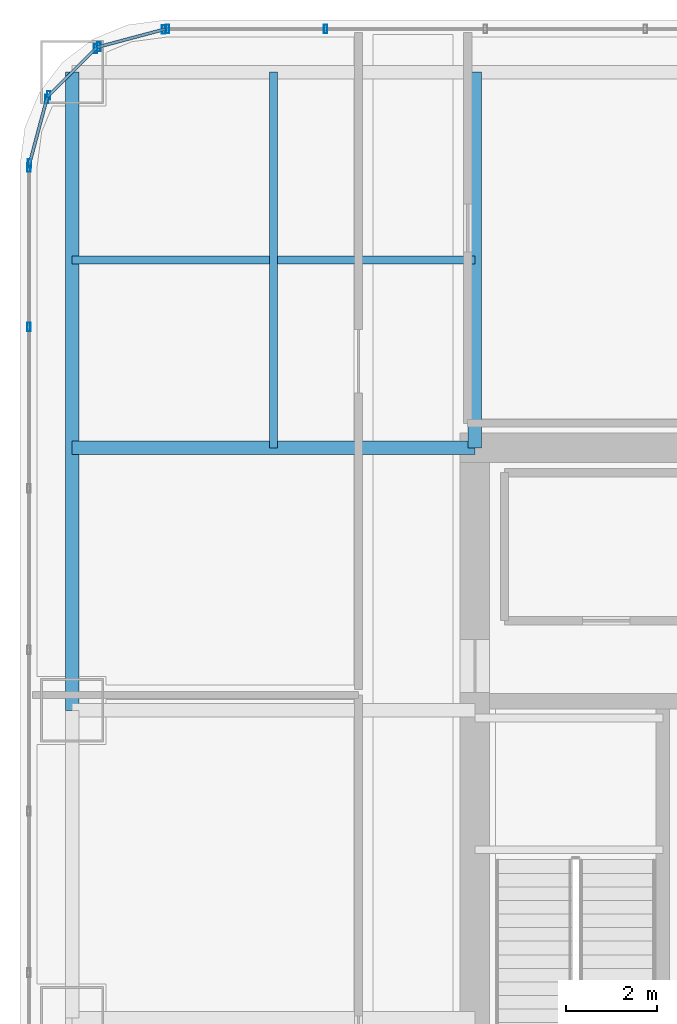
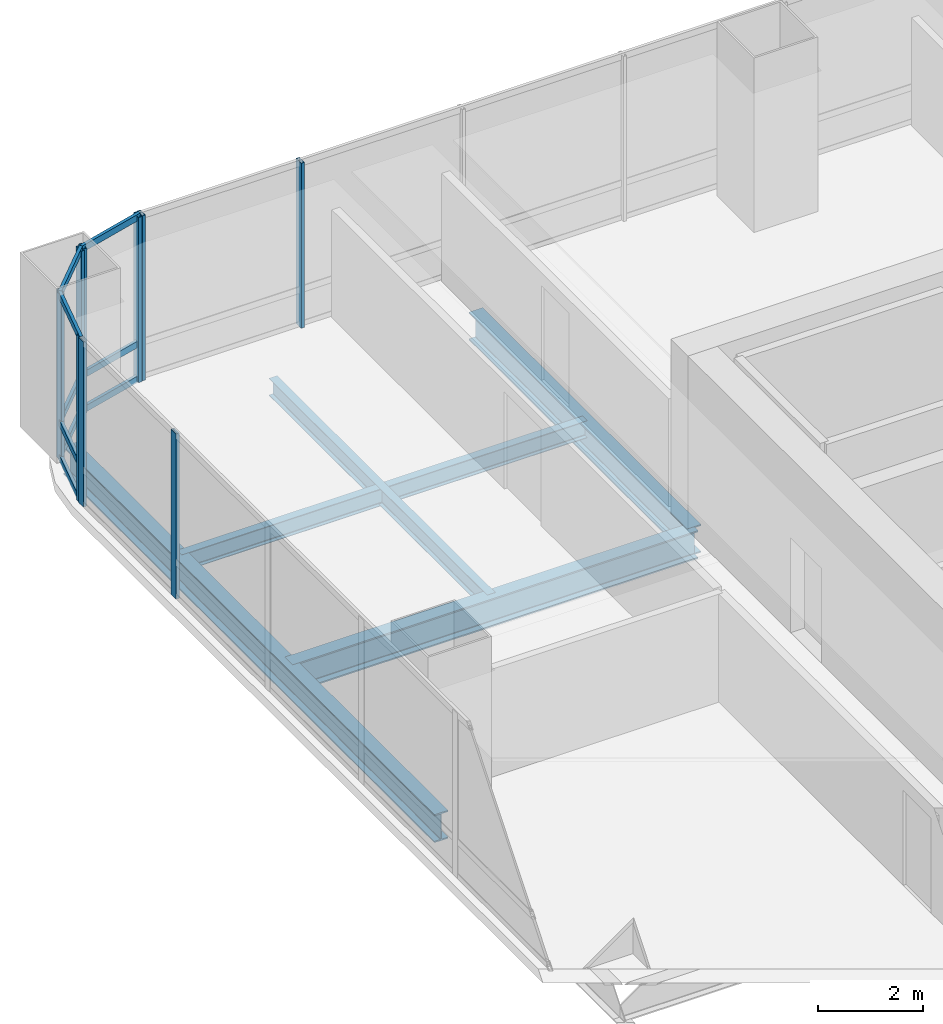
# One storey, part 20 of 35: 19 members, 5 beams, 5 elements without a shape of their own.
"""IFC4 building model written with IfcOpenShell, lengths in metres."""

from ifc_helpers import new_model, si_unit, direction, frame, origin, origin_2d, place, context, subcontext, project, spatial, hollow_rectangle, i_section, extrude, material, material_profile, profile_set, type_object, element, aggregate, save


model = new_model("IFC4")

# Units and contexts
model_context = context("Model", 3, precision=1e-05, world=origin(), true_north=direction((0.0, 1.0)))
body_context = subcontext(model_context, "Body", "Model", "MODEL_VIEW")
ifc_project = project(units=[si_unit("LENGTHUNIT", "METRE"), si_unit("AREAUNIT", "SQUARE_METRE"), si_unit("VOLUMEUNIT", "CUBIC_METRE"), si_unit("PLANEANGLEUNIT", "RADIAN"), si_unit("MASSUNIT", "GRAM", prefix="KILO")], contexts=[model_context])

# Site, building, storey
site_placement = place(None, origin())
site = spatial("IfcSite", under=ifc_project, at=site_placement, CompositionType="ELEMENT")
building_placement = place(site_placement, origin())
building = spatial("IfcBuilding", under=site, at=building_placement, Name="Punatoya Terracotta Tower", CompositionType="ELEMENT")
storey_placement = place(building_placement, frame((0.0, 0.0, 216.75)))
storey = spatial("IfcBuildingStorey", under=building, at=storey_placement, Name="L51", CompositionType="ELEMENT", Elevation=216.75)

# Beams
ifc_material_1 = material(Name="Steel S355", Category="steel")
ifc_material_profile_1 = material_profile(ifc_material_1, i_section(OverallWidth=0.300048828125, OverallDepth=0.64990234375, WebThickness=0.01611328125, FlangeThickness=0.031005859375, FilletRadius=0.01806640625, at=origin_2d()))
ifc_profile_set_1 = profile_set([ifc_material_profile_1], Name="Steel S355")
beam_type_1 = type_object("IfcBeamType", Name="BM-PRI-650", PredefinedType="BEAM", material=ifc_profile_set_1)
beam_1_placement = place(storey_placement, frame((-19.10009765625, 3.39990234375, -0.544921875), z_axis=(0.0, 1.0, 0.0), x_axis=(-1.0, 0.0, 0.0)))
element("IfcBeam", 1, at=beam_1_placement, inside=storey, type_object=beam_type_1, Name="BM-L51-RG-W3", PredefinedType="BEAM", context=body_context, shape_type="SweptSolid", body=[
    extrude(i_section(OverallWidth=0.300048828125, OverallDepth=0.64990234375, WebThickness=0.01611328125, FlangeThickness=0.031005859375, FilletRadius=0.01806640625, at=origin_2d()), origin(), (0.0, 0.0, 1.0), 14.10009765625),
])
beam_2_placement = place(storey_placement, frame((-19.10009765625, 9.199951171875, -0.544921875), z_axis=(1.0, 0.0, 0.0), x_axis=(0.0, 1.0, 0.0)))
element("IfcBeam", 2, at=beam_2_placement, inside=storey, type_object=beam_type_1, Name="BM-L51-PR-WN", PredefinedType="BEAM", context=body_context, shape_type="SweptSolid", body=[
    extrude(i_section(OverallWidth=0.300048828125, OverallDepth=0.64990234375, WebThickness=0.01611328125, FlangeThickness=0.031005859375, FilletRadius=0.01806640625, at=origin_2d()), origin(), (0.0, 0.0, 1.0), 8.900146484375),
])
beam_3_placement = place(storey_placement, frame((-10.199951171875, 9.199951171875, -0.544921875), z_axis=(0.0, 1.0, 0.0), x_axis=(-1.0, 0.0, 0.0)))
element("IfcBeam", 3, at=beam_3_placement, inside=storey, type_object=beam_type_1, Name="BM-L51-PR-N1", PredefinedType="BEAM", context=body_context, shape_type="SweptSolid", body=[
    extrude(i_section(OverallWidth=0.300048828125, OverallDepth=0.64990234375, WebThickness=0.01611328125, FlangeThickness=0.031005859375, FilletRadius=0.01806640625, at=origin_2d()), origin(), (0.0, 0.0, 1.0), 8.300048828125),
])
ifc_material_profile_2 = material_profile(ifc_material_1, i_section(OverallWidth=0.179931640625, OverallDepth=0.39990234375, WebThickness=0.008544921875, FlangeThickness=0.013427734375, FilletRadius=0.01806640625, at=origin_2d()))
ifc_profile_set_2 = profile_set([ifc_material_profile_2], Name="Steel S355")
beam_type_2 = type_object("IfcBeamType", Name="BM-SEC-400", PredefinedType="JOIST", material=ifc_profile_set_2)
beam_4_placement = place(storey_placement, frame((-19.10009765625, 13.35009765625, -0.419921875), z_axis=(1.0, 0.0, 0.0), x_axis=(0.0, 1.0, 0.0)))
element("IfcBeam", 4, at=beam_4_placement, inside=storey, type_object=beam_type_2, Name="BM-L51-SJN-1", PredefinedType="JOIST", context=body_context, shape_type="SweptSolid", body=[
    extrude(i_section(OverallWidth=0.179931640625, OverallDepth=0.39990234375, WebThickness=0.008544921875, FlangeThickness=0.013427734375, FilletRadius=0.01806640625, at=origin_2d()), origin(), (0.0, 0.0, 1.0), 8.900146484375),
])
beam_5_placement = place(storey_placement, frame((-14.64990234375, 9.199951171875, -0.419921875), z_axis=(0.0, 1.0, 0.0), x_axis=(-1.0, 0.0, 0.0)))
element("IfcBeam", 5, at=beam_5_placement, inside=storey, type_object=beam_type_2, Name="BM-L51-SJW-2", PredefinedType="JOIST", context=body_context, shape_type="SweptSolid", body=[
    extrude(i_section(OverallWidth=0.179931640625, OverallDepth=0.39990234375, WebThickness=0.008544921875, FlangeThickness=0.013427734375, FilletRadius=0.01806640625, at=origin_2d()), origin(), (0.0, 0.0, 1.0), 8.300048828125),
])

# Curtain wall, members
ifc_material_2 = material(Name="Aluminium 6063-T6 + Double Low-E Glass", Category="aluminium")
curtain_wall_type = type_object("IfcCurtainWallType", Name="CW-M2", PredefinedType="NOTDEFINED", material=ifc_material_2)
curtain_wall_1_placement = place(storey_placement, origin())
curtain_wall_1 = element("IfcCurtainWall", 6, at=curtain_wall_1_placement, inside=storey, type_object=curtain_wall_type, Name="L51 Curtain Wall CW-L51-N09-1", PredefinedType="NOTDEFINED")
ifc_material_3 = material(Name="Aluminium 6063-T6", Category="aluminium")
ifc_material_profile_3 = material_profile(ifc_material_3, hollow_rectangle(XDim=0.072021484375, YDim=0.195068359375, WallThickness=0.00439453125, at=origin_2d()))
ifc_profile_set_3 = profile_set([ifc_material_profile_3], Name="Aluminium 6063-T6")
member_type_1 = type_object("IfcMemberType", Name="CW-MUL-M2", PredefinedType="MULLION", material=ifc_profile_set_3)
member_1_placement = place(storey_placement, frame((-13.5029296875, 18.449951171875, 0.0), z_axis=(0.0, 0.0, 1.0), x_axis=(1.0, 0.0, 0.0)))
member_1 = element("IfcMember", 7, at=member_1_placement, type_object=member_type_1, Name="CW-L51-N09-1 Mullion 10", PredefinedType="MULLION", context=body_context, shape_type="SweptSolid", body=[
    extrude(hollow_rectangle(XDim=0.072021484375, YDim=0.195068359375, WallThickness=0.00439453125, at=origin_2d()), origin(), (0.0, 0.0, 1.0), 3.830078125),
])
member_2_placement = place(storey_placement, frame((-16.991943359375, 18.449951171875, 0.0), z_axis=(0.0, 0.0, 1.0), x_axis=(1.0, 0.0, 0.0)))
member_2 = element("IfcMember", 8, at=member_2_placement, type_object=member_type_1, Name="CW-L51-N09-1 Mullion 11", PredefinedType="MULLION", context=body_context, shape_type="SweptSolid", body=[
    extrude(hollow_rectangle(XDim=0.072021484375, YDim=0.195068359375, WallThickness=0.00439453125, at=origin_2d()), origin(), (0.0, 0.0, 1.0), 3.830078125),
])
aggregate(curtain_wall_1, [member_1, member_2])

curtain_wall_2_placement = place(storey_placement, origin())
curtain_wall_2 = element("IfcCurtainWall", 9, at=curtain_wall_2_placement, inside=storey, type_object=curtain_wall_type, Name="L51 Curtain Wall CW-L51-CRN10", PredefinedType="NOTDEFINED")
member_3_placement = place(storey_placement, frame((-17.080322265625, 18.4384765625, 0.0), z_axis=(0.0, 0.0, 1.0), x_axis=(1.0, 0.0, 0.0)))
member_3 = element("IfcMember", 10, at=member_3_placement, type_object=member_type_1, Name="CW-L51-CRN10 Mullion 00", PredefinedType="MULLION", context=body_context, shape_type="SweptSolid", body=[
    extrude(hollow_rectangle(XDim=0.072021484375, YDim=0.195068359375, WallThickness=0.00439453125, at=origin_2d()), origin(), (0.0, 0.0, 1.0), 3.830078125),
])
member_4_placement = place(storey_placement, frame((-18.505615234375, 18.05810546875, 0.0), z_axis=(0.0, 0.0, 1.0), x_axis=(1.0, 0.0, 0.0)))
member_4 = element("IfcMember", 11, at=member_4_placement, type_object=member_type_1, Name="CW-L51-CRN10 Mullion 01", PredefinedType="MULLION", context=body_context, shape_type="SweptSolid", body=[
    extrude(hollow_rectangle(XDim=0.072021484375, YDim=0.195068359375, WallThickness=0.00439453125, at=origin_2d()), origin(), (0.0, 0.0, 1.0), 3.830078125),
])

curtain_wall_3_placement = place(storey_placement, origin())
curtain_wall_3 = element("IfcCurtainWall", 12, at=curtain_wall_3_placement, inside=storey, type_object=curtain_wall_type, Name="L51 Curtain Wall CW-L51-CRN11", PredefinedType="NOTDEFINED")
member_5_placement = place(storey_placement, frame((-18.580810546875, 18.014892578125, 0.0), z_axis=(0.0, 0.0, 1.0), x_axis=(1.0, 0.0, 0.0)))
member_5 = element("IfcMember", 13, at=member_5_placement, type_object=member_type_1, Name="CW-L51-CRN11 Mullion 00", PredefinedType="MULLION", context=body_context, shape_type="SweptSolid", body=[
    extrude(hollow_rectangle(XDim=0.072021484375, YDim=0.195068359375, WallThickness=0.00439453125, at=origin_2d()), origin(), (0.0, 0.0, 1.0), 3.830078125),
])
member_6_placement = place(storey_placement, frame((-19.61474609375, 16.98095703125, 0.0), z_axis=(0.0, 0.0, 1.0), x_axis=(1.0, 0.0, 0.0)))
member_6 = element("IfcMember", 14, at=member_6_placement, type_object=member_type_1, Name="CW-L51-CRN11 Mullion 01", PredefinedType="MULLION", context=body_context, shape_type="SweptSolid", body=[
    extrude(hollow_rectangle(XDim=0.072021484375, YDim=0.195068359375, WallThickness=0.00439453125, at=origin_2d()), origin(), (0.0, 0.0, 1.0), 3.830078125),
])

curtain_wall_4_placement = place(storey_placement, origin())
curtain_wall_4 = element("IfcCurtainWall", 15, at=curtain_wall_4_placement, inside=storey, type_object=curtain_wall_type, Name="L51 Curtain Wall CW-L51-CRN12", PredefinedType="NOTDEFINED")
member_7_placement = place(storey_placement, frame((-19.658203125, 16.905517578125, 0.0), z_axis=(0.0, 0.0, 1.0), x_axis=(1.0, 0.0, 0.0)))
member_7 = element("IfcMember", 16, at=member_7_placement, type_object=member_type_1, Name="CW-L51-CRN12 Mullion 00", PredefinedType="MULLION", context=body_context, shape_type="SweptSolid", body=[
    extrude(hollow_rectangle(XDim=0.072021484375, YDim=0.195068359375, WallThickness=0.00439453125, at=origin_2d()), origin(), (0.0, 0.0, 1.0), 3.830078125),
])
member_8_placement = place(storey_placement, frame((-20.038330078125, 15.48046875, 0.0), z_axis=(0.0, 0.0, 1.0), x_axis=(1.0, 0.0, 0.0)))
member_8 = element("IfcMember", 17, at=member_8_placement, type_object=member_type_1, Name="CW-L51-CRN12 Mullion 01", PredefinedType="MULLION", context=body_context, shape_type="SweptSolid", body=[
    extrude(hollow_rectangle(XDim=0.072021484375, YDim=0.195068359375, WallThickness=0.00439453125, at=origin_2d()), origin(), (0.0, 0.0, 1.0), 3.830078125),
])

curtain_wall_5_placement = place(storey_placement, origin())
curtain_wall_5 = element("IfcCurtainWall", 18, at=curtain_wall_5_placement, inside=storey, type_object=curtain_wall_type, Name="L51 Curtain Wall CW-L51-W13-1", PredefinedType="NOTDEFINED")
member_9_placement = place(storey_placement, frame((-20.050048828125, 15.391845703125, 0.0), z_axis=(0.0, 0.0, 1.0), x_axis=(1.0, 0.0, 0.0)))
member_9 = element("IfcMember", 19, at=member_9_placement, type_object=member_type_1, Name="CW-L51-W13-1 Mullion 00", PredefinedType="MULLION", context=body_context, shape_type="SweptSolid", body=[
    extrude(hollow_rectangle(XDim=0.072021484375, YDim=0.195068359375, WallThickness=0.00439453125, at=origin_2d()), origin(), (0.0, 0.0, 1.0), 3.830078125),
])
member_10_placement = place(storey_placement, frame((-20.050048828125, 11.869384765625, 0.0), z_axis=(0.0, 0.0, 1.0), x_axis=(1.0, 0.0, 0.0)))
member_10 = element("IfcMember", 20, at=member_10_placement, type_object=member_type_1, Name="CW-L51-W13-1 Mullion 01", PredefinedType="MULLION", context=body_context, shape_type="SweptSolid", body=[
    extrude(hollow_rectangle(XDim=0.072021484375, YDim=0.195068359375, WallThickness=0.00439453125, at=origin_2d()), origin(), (0.0, 0.0, 1.0), 3.830078125),
])
aggregate(curtain_wall_5, [member_9, member_10])

# Member
ifc_material_profile_4 = material_profile(ifc_material_3, hollow_rectangle(XDim=0.068115234375, YDim=0.14990234375, WallThickness=0.00390625, at=origin_2d()))
ifc_profile_set_4 = profile_set([ifc_material_profile_4], Name="Aluminium 6063-T6")
member_type_2 = type_object("IfcMemberType", Name="CW-TRN-TYP", PredefinedType="USERDEFINED", material=ifc_profile_set_4)
member_11_placement = place(storey_placement, frame((-17.036865234375, 18.449951171875, 0.0400390625), z_axis=(-0.966224582397, -0.257701486942, 0.0), x_axis=(0.257701486942, -0.966224582397, 0.0)))
member_11 = element("IfcMember", 21, at=member_11_placement, type_object=member_type_2, Name="CW-L51-CRN10 Transom 1", ObjectType="TRANSOM", PredefinedType="USERDEFINED", context=body_context, shape_type="SweptSolid", body=[
    extrude(hollow_rectangle(XDim=0.068115234375, YDim=0.14990234375, WallThickness=0.00390625, at=origin_2d()), origin(), (0.0, 0.0, 1.0), 1.565185546875),
])

member_12_placement = place(storey_placement, frame((-17.036865234375, 18.449951171875, 0.85009765625), z_axis=(-0.966224582397, -0.257701486942, 0.0), x_axis=(0.257701486942, -0.966224582397, 0.0)))
member_12 = element("IfcMember", 22, at=member_12_placement, type_object=member_type_2, Name="CW-L51-CRN10 Transom 2", ObjectType="TRANSOM", PredefinedType="USERDEFINED", context=body_context, shape_type="SweptSolid", body=[
    extrude(hollow_rectangle(XDim=0.068115234375, YDim=0.14990234375, WallThickness=0.00390625, at=origin_2d()), origin(), (0.0, 0.0, 1.0), 1.565185546875),
])

member_13_placement = place(storey_placement, frame((-17.036865234375, 18.449951171875, 3.7900390625), z_axis=(-0.966224582397, -0.257701486942, 0.0), x_axis=(0.257701486942, -0.966224582397, 0.0)))
member_13 = element("IfcMember", 23, at=member_13_placement, type_object=member_type_2, Name="CW-L51-CRN10 Transom 3", ObjectType="TRANSOM", PredefinedType="USERDEFINED", context=body_context, shape_type="SweptSolid", body=[
    extrude(hollow_rectangle(XDim=0.068115234375, YDim=0.14990234375, WallThickness=0.00390625, at=origin_2d()), origin(), (0.0, 0.0, 1.0), 1.565185546875),
])

aggregate(curtain_wall_2, [member_3, member_4, member_11, member_12, member_13])

member_14_placement = place(storey_placement, frame((-18.549072265625, 18.046630859375, 0.0400390625), z_axis=(-0.707106781187, -0.707106781187, 0.0), x_axis=(0.707106781187, -0.707106781187, 0.0)))
member_14 = element("IfcMember", 24, at=member_14_placement, type_object=member_type_2, Name="CW-L51-CRN11 Transom 1", ObjectType="TRANSOM", PredefinedType="USERDEFINED", context=body_context, shape_type="SweptSolid", body=[
    extrude(hollow_rectangle(XDim=0.068115234375, YDim=0.14990234375, WallThickness=0.00390625, at=origin_2d()), origin(), (0.0, 0.0, 1.0), 1.552001953125),
])

member_15_placement = place(storey_placement, frame((-18.549072265625, 18.046630859375, 0.85009765625), z_axis=(-0.707106781187, -0.707106781187, 0.0), x_axis=(0.707106781187, -0.707106781187, 0.0)))
member_15 = element("IfcMember", 25, at=member_15_placement, type_object=member_type_2, Name="CW-L51-CRN11 Transom 2", ObjectType="TRANSOM", PredefinedType="USERDEFINED", context=body_context, shape_type="SweptSolid", body=[
    extrude(hollow_rectangle(XDim=0.068115234375, YDim=0.14990234375, WallThickness=0.00390625, at=origin_2d()), origin(), (0.0, 0.0, 1.0), 1.552001953125),
])

member_16_placement = place(storey_placement, frame((-18.549072265625, 18.046630859375, 3.7900390625), z_axis=(-0.707106781187, -0.707106781187, 0.0), x_axis=(0.707106781187, -0.707106781187, 0.0)))
member_16 = element("IfcMember", 26, at=member_16_placement, type_object=member_type_2, Name="CW-L51-CRN11 Transom 3", ObjectType="TRANSOM", PredefinedType="USERDEFINED", context=body_context, shape_type="SweptSolid", body=[
    extrude(hollow_rectangle(XDim=0.068115234375, YDim=0.14990234375, WallThickness=0.00390625, at=origin_2d()), origin(), (0.0, 0.0, 1.0), 1.552001953125),
])

aggregate(curtain_wall_3, [member_5, member_6, member_14, member_15, member_16])

member_17_placement = place(storey_placement, frame((-19.646484375, 16.94921875, 0.0400390625), z_axis=(-0.257847112249, -0.966185730957, 0.0), x_axis=(0.966185730957, -0.257847112249, 0.0)))
member_17 = element("IfcMember", 27, at=member_17_placement, type_object=member_type_2, Name="CW-L51-CRN12 Transom 1", ObjectType="TRANSOM", PredefinedType="USERDEFINED", context=body_context, shape_type="SweptSolid", body=[
    extrude(hollow_rectangle(XDim=0.068115234375, YDim=0.14990234375, WallThickness=0.00390625, at=origin_2d()), origin(), (0.0, 0.0, 1.0), 1.565185546875),
])

member_18_placement = place(storey_placement, frame((-19.646484375, 16.94921875, 0.85009765625), z_axis=(-0.257847112249, -0.966185730957, 0.0), x_axis=(0.966185730957, -0.257847112249, 0.0)))
member_18 = element("IfcMember", 28, at=member_18_placement, type_object=member_type_2, Name="CW-L51-CRN12 Transom 2", ObjectType="TRANSOM", PredefinedType="USERDEFINED", context=body_context, shape_type="SweptSolid", body=[
    extrude(hollow_rectangle(XDim=0.068115234375, YDim=0.14990234375, WallThickness=0.00390625, at=origin_2d()), origin(), (0.0, 0.0, 1.0), 1.565185546875),
])

member_19_placement = place(storey_placement, frame((-19.646484375, 16.94921875, 3.7900390625), z_axis=(-0.257847112249, -0.966185730957, 0.0), x_axis=(0.966185730957, -0.257847112249, 0.0)))
member_19 = element("IfcMember", 29, at=member_19_placement, type_object=member_type_2, Name="CW-L51-CRN12 Transom 3", ObjectType="TRANSOM", PredefinedType="USERDEFINED", context=body_context, shape_type="SweptSolid", body=[
    extrude(hollow_rectangle(XDim=0.068115234375, YDim=0.14990234375, WallThickness=0.00390625, at=origin_2d()), origin(), (0.0, 0.0, 1.0), 1.565185546875),
])

aggregate(curtain_wall_4, [member_7, member_8, member_17, member_18, member_19])

save(model, "model.ifc")
